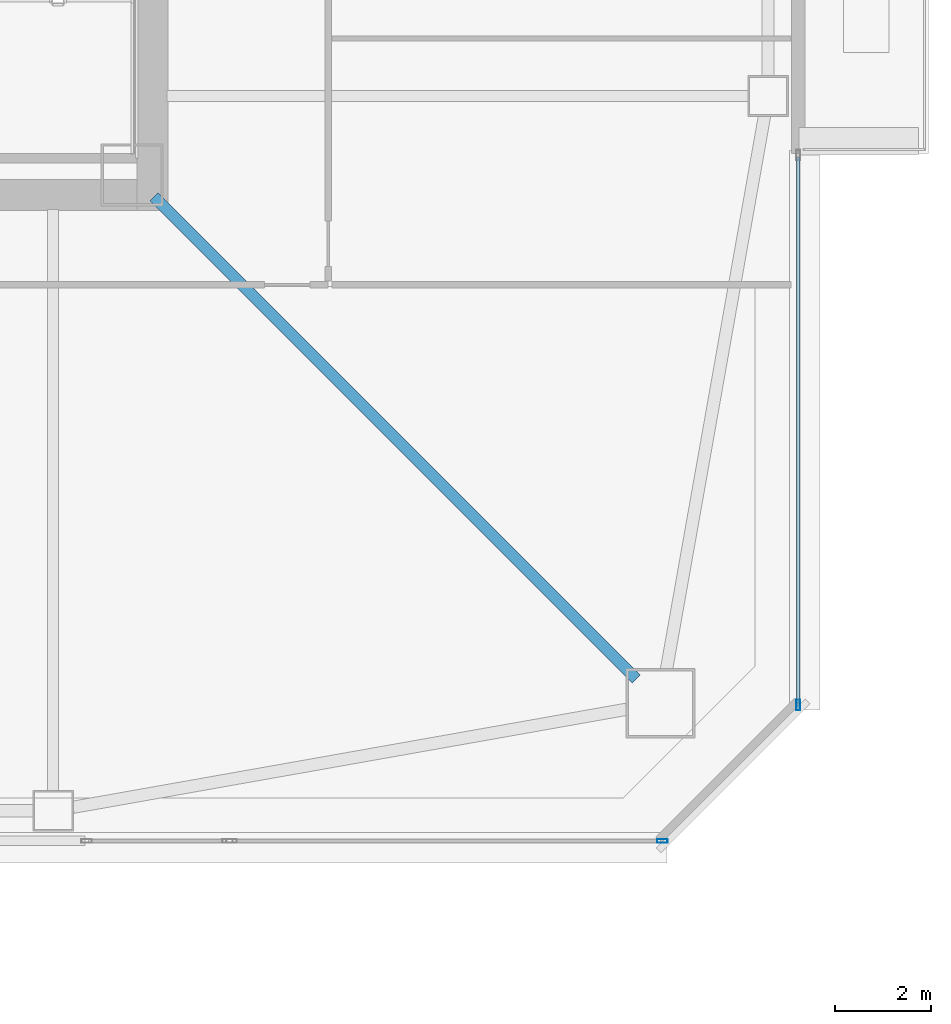
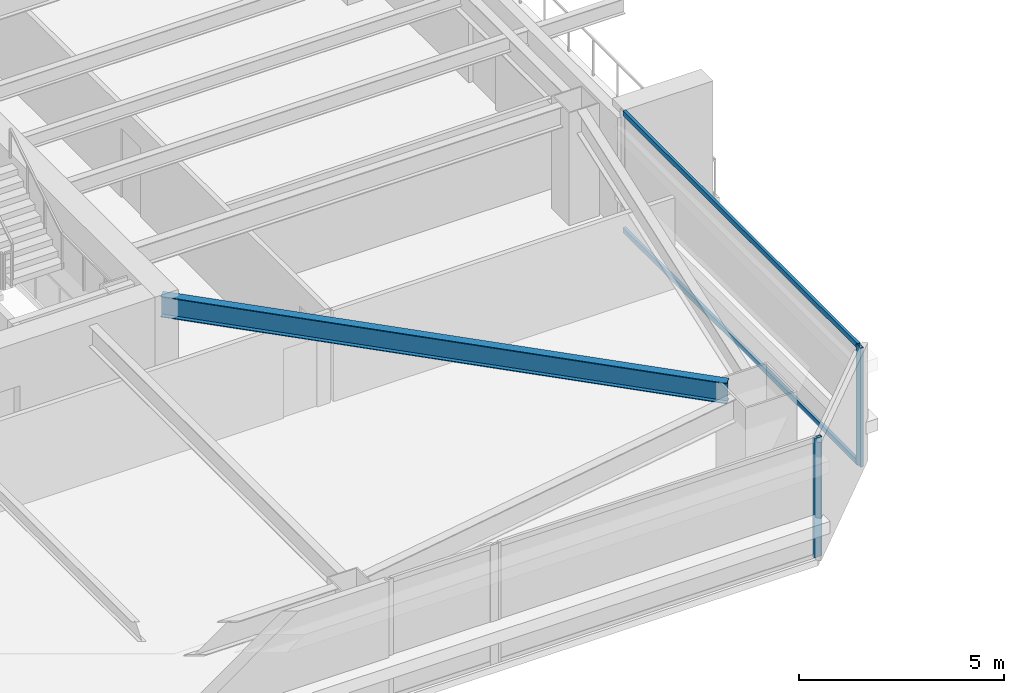
# One storey, part 8 of 46: 4 members, 1 beam, 2 elements without a shape of their own.
"""IFC4 building model written with IfcOpenShell, lengths in metres."""

from ifc_helpers import new_model, si_unit, direction, frame, origin, origin_2d, place, context, subcontext, project, spatial, hollow_rectangle, i_section, extrude, material, material_profile, profile_set, type_object, element, aggregate, save


model = new_model("IFC4")

# Units and contexts
model_context = context("Model", 3, precision=1e-05, world=origin(), true_north=direction((0.0, 1.0)))
body_context = subcontext(model_context, "Body", "Model", "MODEL_VIEW")
ifc_project = project(units=[si_unit("LENGTHUNIT", "METRE"), si_unit("AREAUNIT", "SQUARE_METRE"), si_unit("VOLUMEUNIT", "CUBIC_METRE"), si_unit("PLANEANGLEUNIT", "RADIAN"), si_unit("MASSUNIT", "GRAM", prefix="KILO")], contexts=[model_context])

# Site, building, storey
site_placement = place(None, origin())
site = spatial("IfcSite", under=ifc_project, at=site_placement, CompositionType="ELEMENT")
building_placement = place(site_placement, origin())
building = spatial("IfcBuilding", under=site, at=building_placement, Name="Tashvorn Skyway Center", CompositionType="ELEMENT")
storey_placement = place(building_placement, frame((0.0, 0.0, 99.14990234375)))
storey = spatial("IfcBuildingStorey", under=building, at=storey_placement, Name="L26", CompositionType="ELEMENT", Elevation=99.14990234375)

# Beam
ifc_material_1 = material(Name="Steel ASTM A992 Grade 50", Category="steel")
ifc_material_profile_1 = material_profile(ifc_material_1, i_section(OverallWidth=0.22998046875, OverallDepth=0.616943359375, WebThickness=0.01318359375, FlangeThickness=0.022216796875, at=origin_2d()), Name="W24X94")
ifc_profile_set_1 = profile_set([ifc_material_profile_1], Name="Steel ASTM A992 Grade 50")
beam_type = type_object("IfcBeamType", Name="BM-BEAM-W24X94", PredefinedType="BEAM", material=ifc_profile_set_1)
beam_placement = place(storey_placement, frame((59.5908203125, 14.4091796875, 3.04150390625), z_axis=(-0.707106781187, 0.707106781187, 0.0), x_axis=(-0.707106781187, -0.707106781187, 0.0)))
element("IfcBeam", 1, at=beam_placement, inside=storey, type_object=beam_type, Name="Tower 1 L26 Primary Floor Girder MC-SE", PredefinedType="BEAM", context=body_context, shape_type="SweptSolid", body=[
    extrude(i_section(OverallWidth=0.22998046875, OverallDepth=0.616943359375, WebThickness=0.01318359375, FlangeThickness=0.022216796875, at=origin_2d()), origin(), (0.0, 0.0, 1.0), 14.261962890625),
])

# Curtain wall, member
ifc_material_2 = material(Name="Thermally broken bronze-anodized aluminium 6063-T6", Category="aluminium")
curtain_wall_type = type_object("IfcCurtainWallType", Name="CW-CW-Z2", PredefinedType="NOTDEFINED", material=ifc_material_2)
curtain_wall_1_placement = place(storey_placement, origin())
curtain_wall_1 = element("IfcCurtainWall", 2, at=curtain_wall_1_placement, inside=storey, type_object=curtain_wall_type, Name="Tower 1 L26 South Unitised Curtain Wall Glazing Group 1", PredefinedType="NOTDEFINED")
ifc_material_profile_2 = material_profile(ifc_material_2, hollow_rectangle(XDim=0.080078125, YDim=0.219970703125, WallThickness=0.0048828125, at=origin_2d()), Name="ALU-MULL-80x220")
ifc_profile_set_2 = profile_set([ifc_material_profile_2], Name="Thermally broken bronze-anodized aluminium 6063-T6")
member_type_1 = type_object("IfcMemberType", Name="CWM-CW-Z2", PredefinedType="MULLION", material=ifc_profile_set_2)
member_1_placement = place(storey_placement, frame((60.139892578125, 11.02001953125, 0.0), z_axis=(0.0, 0.0, 1.0), x_axis=(0.0, -1.0, 0.0)))
member_1 = element("IfcMember", 3, at=member_1_placement, type_object=member_type_1, Name="CW-Z2 mullion 1", PredefinedType="MULLION", context=body_context, shape_type="SweptSolid", body=[
    extrude(hollow_rectangle(XDim=0.080078125, YDim=0.219970703125, WallThickness=0.0048828125, at=origin_2d()), origin(), (0.0, 0.0, 1.0), 3.550048828125),
])
aggregate(curtain_wall_1, [member_1])

# Curtain wall, members
curtain_wall_2_placement = place(storey_placement, origin())
curtain_wall_2 = element("IfcCurtainWall", 4, at=curtain_wall_2_placement, inside=storey, type_object=curtain_wall_type, Name="Tower 1 L26 East Curtain Wall R", PredefinedType="NOTDEFINED")
member_2_placement = place(storey_placement, frame((62.97998046875, 13.860107421875, 0.0), z_axis=(0.0, 0.0, 1.0), x_axis=(1.0, 0.0, 0.0)))
member_2 = element("IfcMember", 5, at=member_2_placement, type_object=member_type_1, Name="CW-Z2 mullion 2", PredefinedType="MULLION", context=body_context, shape_type="SweptSolid", body=[
    extrude(hollow_rectangle(XDim=0.080078125, YDim=0.219970703125, WallThickness=0.0048828125, at=origin_2d()), origin(), (0.0, 0.0, 1.0), 3.550048828125),
])
ifc_material_profile_3 = material_profile(ifc_material_2, hollow_rectangle(XDim=0.080078125, YDim=0.14990234375, WallThickness=0.00439453125, at=origin_2d()), Name="ALU-TRAN-80x150")
ifc_profile_set_3 = profile_set([ifc_material_profile_3], Name="Thermally broken bronze-anodized aluminium 6063-T6")
member_type_2 = type_object("IfcMemberType", Name="CWT-CW-Z2", PredefinedType="USERDEFINED", material=ifc_profile_set_3)
member_3_placement = place(storey_placement, frame((62.97998046875, 25.320068359375, 0.0400390625), z_axis=(0.0, -1.0, 0.0), x_axis=(1.0, 0.0, 0.0)))
member_3 = element("IfcMember", 6, at=member_3_placement, type_object=member_type_2, Name="CW-Z2 transom 1.1", ObjectType="TRANSOM", PredefinedType="USERDEFINED", context=body_context, shape_type="SweptSolid", body=[
    extrude(hollow_rectangle(XDim=0.080078125, YDim=0.14990234375, WallThickness=0.00439453125, at=origin_2d()), origin(), (0.0, 0.0, 1.0), 11.420166015625),
])
member_4_placement = place(storey_placement, frame((62.97998046875, 25.320068359375, 3.510009765625), z_axis=(0.0, -1.0, 0.0), x_axis=(1.0, 0.0, 0.0)))
member_4 = element("IfcMember", 7, at=member_4_placement, type_object=member_type_2, Name="CW-Z2 transom 1.2", ObjectType="TRANSOM", PredefinedType="USERDEFINED", context=body_context, shape_type="SweptSolid", body=[
    extrude(hollow_rectangle(XDim=0.080078125, YDim=0.14990234375, WallThickness=0.00439453125, at=origin_2d()), origin(), (0.0, 0.0, 1.0), 11.420166015625),
])
aggregate(curtain_wall_2, [member_2, member_3, member_4])

save(model, "model.ifc")
